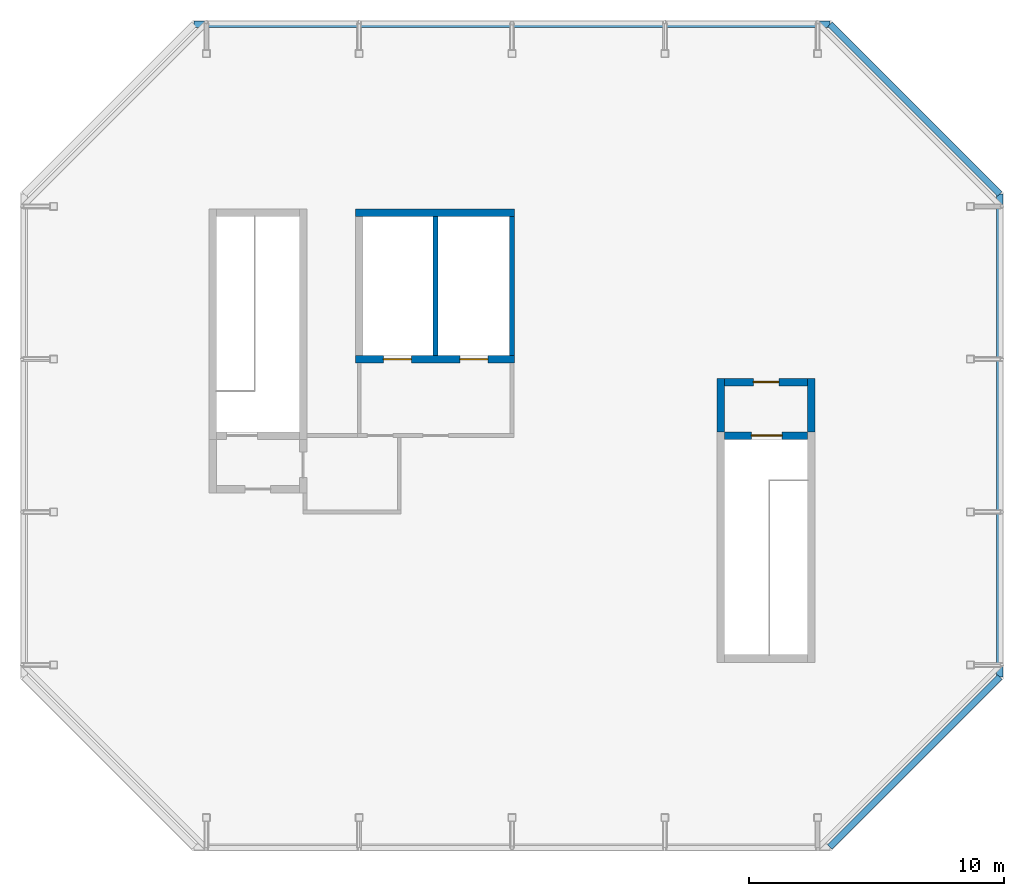
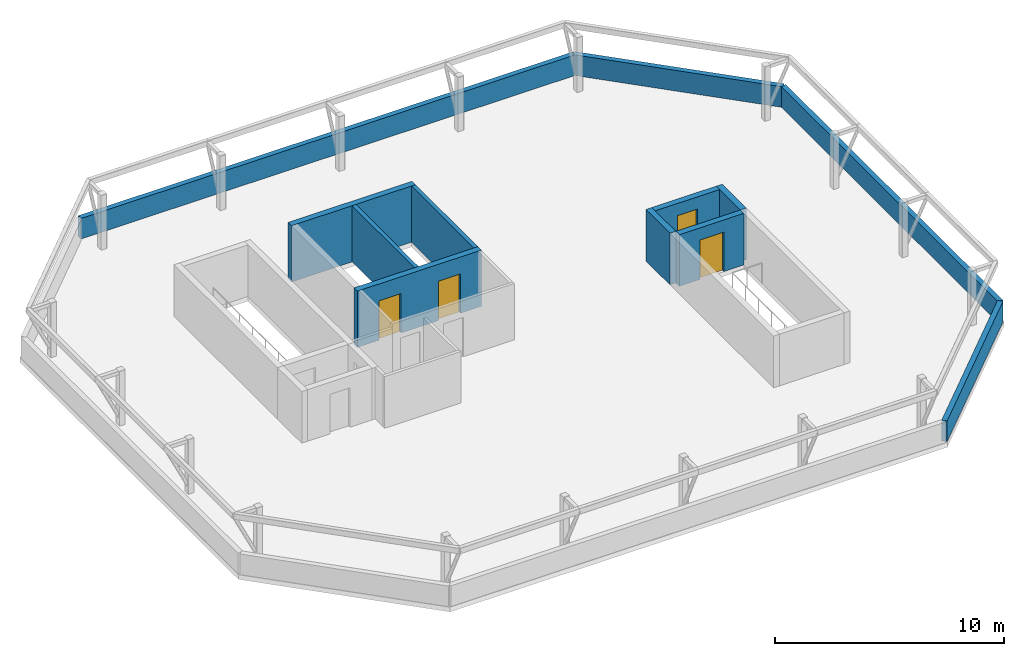
# One storey, part 4 of 6: 12 walls, 4 doors, 4 openings.
"""IFC4 building model written with IfcOpenShell, lengths in metres."""

from ifc_helpers import new_model, si_unit, direction, frame, frame_2d, origin, place, context, subcontext, project, spatial, rectangle, extrude, material, layer, layer_set, type_object, element, fill, save


model = new_model("IFC4")

# Units and contexts
model_context = context("Model", 3, precision=1e-05, world=origin(), true_north=direction((0.0, 1.0)))
body_context = subcontext(model_context, "Body", "Model", "MODEL_VIEW")
ifc_project = project(units=[si_unit("LENGTHUNIT", "METRE"), si_unit("AREAUNIT", "SQUARE_METRE"), si_unit("VOLUMEUNIT", "CUBIC_METRE"), si_unit("PLANEANGLEUNIT", "RADIAN"), si_unit("MASSUNIT", "GRAM", prefix="KILO")], contexts=[model_context])

# Site, building, storey
site_placement = place(None, origin())
site = spatial("IfcSite", under=ifc_project, at=site_placement, CompositionType="ELEMENT")
building_placement = place(site_placement, origin())
building = spatial("IfcBuilding", under=site, at=building_placement, Name="Highveld Stack Headquarters", CompositionType="ELEMENT")
storey_placement = place(building_placement, frame((0.0, 0.0, 305.699951171875)))
storey = spatial("IfcBuildingStorey", under=building, at=storey_placement, Name="RF", CompositionType="ELEMENT", Elevation=305.699951171875)

# Wall, openings, doors
ifc_material_1 = material(Name="Concrete C60/75", Category="concrete")
ifc_layer_1 = layer(ifc_material_1, 0.300048828125)
ifc_layer_set_1 = layer_set([ifc_layer_1], Name="Concrete C60/75")
wall_type_1 = type_object("IfcWallType", Name="CORE WALL 300 C60/75", PredefinedType="SHEAR", material=ifc_layer_set_1)
wall_1_placement = place(storey_placement, frame((-0.14990234375, 6.0, 0.0), z_axis=(0.0, 0.0, 1.0), x_axis=(1.0, 0.0, 0.0)))
wall_1 = element("IfcWall", 1, at=wall_1_placement, inside=storey, type_object=wall_type_1, Name="Lift penthouse wall S", PredefinedType="SHEAR", context=body_context, shape_type="SweptSolid", body=[
    extrude(rectangle(XDim=6.25, YDim=0.300048828125, at=frame_2d((3.125, 0.0))), origin(), (0.0, 0.0, 1.0), 3.0),
])
opening_1_placement = place(wall_1_placement, frame((1.10009765625, 0.0, 0.0)))
opening_1 = element("IfcOpeningElement", 2, at=opening_1_placement, cuts=wall_1, Name="Opening LD", PredefinedType="OPENING", context=body_context, shape_type="SweptSolid", body=[
    extrude(rectangle(XDim=1.10009765625, YDim=2.10009765625, at=frame_2d((0.550048828125, 1.050048828125))), frame((0.0, 0.159912109375, 0.0), z_axis=(0.0, -1.0, 0.0), x_axis=(1.0, 0.0, 0.0)), (0.0, 0.0, 1.0), 0.320068359375),
])
opening_2_placement = place(wall_1_placement, frame((4.10009765625, 0.0, 0.0)))
opening_2 = element("IfcOpeningElement", 3, at=opening_2_placement, cuts=wall_1, Name="Opening LD", PredefinedType="OPENING", context=body_context, shape_type="SweptSolid", body=[
    extrude(rectangle(XDim=1.10009765625, YDim=2.10009765625, at=frame_2d((0.550048828125, 1.050048828125))), frame((0.0, 0.159912109375, 0.0), z_axis=(0.0, -1.0, 0.0), x_axis=(1.0, 0.0, 0.0)), (0.0, 0.0, 1.0), 0.320068359375),
])
ifc_material_2 = material(Name="Stainless steel lift landing door", Category="steel")
door_type_1 = type_object("IfcDoorType", Name="LIFT LANDING DOOR LD 1100x2100", OperationType="DOUBLE_DOOR_SLIDING", PredefinedType="USERDEFINED", material=ifc_material_2)
door_1_placement = place(opening_1_placement, origin())
door_1 = element("IfcDoor", 4, at=door_1_placement, inside=storey, type_object=door_type_1, Name="Lift landing door FF1 RF", ObjectType="LIFT LANDING DOOR", OperationType="DOUBLE_DOOR_SLIDING", OverallHeight=2.10009765625, OverallWidth=1.10009765625, PredefinedType="USERDEFINED", context=body_context, shape_type="SweptSolid", body=[
    extrude(rectangle(XDim=1.10009765625, YDim=2.10009765625, at=frame_2d((0.550048828125, 1.050048828125))), frame((0.0, 0.02490234375, 0.0), z_axis=(0.0, -1.0, 0.0), x_axis=(1.0, 0.0, 0.0)), (0.0, 0.0, 1.0), 0.050048828125),
])
fill(opening_1, door_1)
door_2_placement = place(opening_2_placement, origin())
door_2 = element("IfcDoor", 5, at=door_2_placement, inside=storey, type_object=door_type_1, Name="Lift landing door FF2 RF", ObjectType="LIFT LANDING DOOR", OperationType="DOUBLE_DOOR_SLIDING", OverallHeight=2.10009765625, OverallWidth=1.10009765625, PredefinedType="USERDEFINED", context=body_context, shape_type="SweptSolid", body=[
    extrude(rectangle(XDim=1.10009765625, YDim=2.10009765625, at=frame_2d((0.550048828125, 1.050048828125))), frame((0.0, 0.02490234375, 0.0), z_axis=(0.0, -1.0, 0.0), x_axis=(1.0, 0.0, 0.0)), (0.0, 0.0, 1.0), 0.050048828125),
])
fill(opening_2, door_2)

# Walls
wall_2_placement = place(storey_placement, frame((-0.14990234375, 11.75, 0.0), z_axis=(0.0, 0.0, 1.0), x_axis=(1.0, 0.0, 0.0)))
element("IfcWall", 6, at=wall_2_placement, inside=storey, type_object=wall_type_1, Name="Lift penthouse wall N", PredefinedType="SHEAR", context=body_context, shape_type="SweptSolid", body=[
    extrude(rectangle(XDim=6.25, YDim=0.300048828125, at=frame_2d((3.125, 0.0))), origin(), (0.0, 0.0, 1.0), 3.0),
])
ifc_material_3 = material(Name="Concrete C60/75", Category="concrete")
ifc_layer_2 = layer(ifc_material_3, 0.199951171875)
ifc_layer_set_2 = layer_set([ifc_layer_2], Name="Concrete C60/75")
wall_type_2 = type_object("IfcWallType", Name="LIFT SHAFT WALL 200", PredefinedType="SHEAR", material=ifc_layer_set_2)
for number, where, z_axis, x_axis, name in (
    (7, (6.0, 6.14990234375, 0.0), (0.0, 0.0, 1.0), (0.0, 1.0, 0.0), "Lift penthouse wall E"),
    (8, (3.0, 6.14990234375, 0.0), (0.0, 0.0, 1.0), (0.0, 1.0, 0.0), "Lift penthouse wall D"),
):
    element("IfcWall", number, at=place(storey_placement, frame(where, z_axis=z_axis, x_axis=x_axis)), inside=storey, type_object=wall_type_2, Name=name, PredefinedType="SHEAR", context=body_context, shape_type="SweptSolid", body=[
        extrude(rectangle(XDim=5.4501953125, YDim=0.199951171875, at=frame_2d((2.72509765625, 0.0))), origin(), (0.0, 0.0, 1.0), 3.0),
    ])
ifc_material_4 = material(Name="Concrete C40/50, precast parapet", Category="concrete")
ifc_layer_3 = layer(ifc_material_4, 0.25)
ifc_layer_set_3 = layer_set([ifc_layer_3], Name="Concrete C40/50, precast parapet")
wall_type_3 = type_object("IfcWallType", Name="PARAPET WALL PP1 250", PredefinedType="PARAPET", material=ifc_layer_set_3)
wall_3_placement = place(storey_placement, frame((-6.476318359375, 19.14990234375, 0.0), z_axis=(0.0, 0.0, 1.0), x_axis=(1.0, 0.0, 0.0)))
element("IfcWall", 9, at=wall_3_placement, inside=storey, type_object=wall_type_3, Name="Roof parapet RF 4", PredefinedType="PARAPET", context=body_context, shape_type="SweptSolid", body=[
    extrude(rectangle(XDim=24.95263671875, YDim=0.25, at=frame_2d((12.476318359375, 0.0))), origin(), (0.0, 0.0, 1.0), 1.10009765625),
])
wall_4_placement = place(storey_placement, frame((18.476318359375, 19.14990234375, 0.0), z_axis=(0.0, 0.0, 1.0), x_axis=(0.707106781187, -0.707106781187, 0.0)))
element("IfcWall", 10, at=wall_4_placement, inside=storey, type_object=wall_type_3, Name="Roof parapet RF 5", PredefinedType="PARAPET", context=body_context, shape_type="SweptSolid", body=[
    extrude(rectangle(XDim=9.43798828125, YDim=0.25, at=frame_2d((4.718994140625, 0.0))), origin(), (0.0, 0.0, 1.0), 1.10009765625),
])
wall_5_placement = place(storey_placement, frame((25.14990234375, 12.476318359375, 0.0), z_axis=(0.0, 0.0, 1.0), x_axis=(0.0, -1.0, 0.0)))
element("IfcWall", 11, at=wall_5_placement, inside=storey, type_object=wall_type_3, Name="Roof parapet RF 6", PredefinedType="PARAPET", context=body_context, shape_type="SweptSolid", body=[
    extrude(rectangle(XDim=18.95263671875, YDim=0.25, at=frame_2d((9.476318359375, 0.0))), origin(), (0.0, 0.0, 1.0), 1.10009765625),
])
wall_6_placement = place(storey_placement, frame((25.14990234375, -6.476318359375, 0.0), z_axis=(0.0, 0.0, 1.0), x_axis=(-0.707106781187, -0.707106781187, 0.0)))
element("IfcWall", 12, at=wall_6_placement, inside=storey, type_object=wall_type_3, Name="Roof parapet RF 7", PredefinedType="PARAPET", context=body_context, shape_type="SweptSolid", body=[
    extrude(rectangle(XDim=9.43798828125, YDim=0.25, at=frame_2d((4.718994140625, 0.0))), origin(), (0.0, 0.0, 1.0), 1.10009765625),
])
ifc_material_5 = material(Name="Concrete blockwork, plastered", Category="masonry")
ifc_layer_4 = layer(ifc_material_5, 0.300048828125)
ifc_layer_set_4 = layer_set([ifc_layer_4], Name="Concrete blockwork, plastered")
wall_type_4 = type_object("IfcWallType", Name="STAIR ENCLOSURE HEAD WALL 300 BLOCKWORK", PredefinedType="PARTITIONING", material=ifc_layer_set_4)
for number, where, z_axis, x_axis, name in (
    (13, (14.199951171875, 3.14990234375, 0.0), (0.0, 0.0, 1.0), (0.0, 1.0, 0.0), "Stair S2 head-house wall LW"),
    (14, (17.75, 3.14990234375, 0.0), (0.0, 0.0, 1.0), (0.0, 1.0, 0.0), "Stair S2 head-house wall LE"),
):
    element("IfcWall", number, at=place(storey_placement, frame(where, z_axis=z_axis, x_axis=x_axis)), inside=storey, type_object=wall_type_4, Name=name, PredefinedType="PARTITIONING", context=body_context, shape_type="SweptSolid", body=[
        extrude(rectangle(XDim=2.10009765625, YDim=0.300048828125, at=frame_2d((1.050048828125, 0.0))), origin(), (0.0, 0.0, 1.0), 2.75),
    ])

# Wall, opening, door
wall_7_placement = place(storey_placement, frame((14.35009765625, 5.10009765625, 0.0), z_axis=(0.0, 0.0, 1.0), x_axis=(1.0, 0.0, 0.0)))
wall_7 = element("IfcWall", 15, at=wall_7_placement, inside=storey, type_object=wall_type_4, Name="Stair S2 head-house wall OUT", PredefinedType="PARTITIONING", context=body_context, shape_type="SweptSolid", body=[
    extrude(rectangle(XDim=3.25, YDim=0.300048828125, at=frame_2d((1.625, 0.0))), origin(), (0.0, 0.0, 1.0), 2.75),
])
opening_3_placement = place(wall_7_placement, frame((1.125, 0.0, 0.0)))
opening_3 = element("IfcOpeningElement", 16, at=opening_3_placement, cuts=wall_7, Name="Opening RF-07", PredefinedType="OPENING", context=body_context, shape_type="SweptSolid", body=[
    extrude(rectangle(XDim=1.0, YDim=2.10009765625, at=frame_2d((0.5, 1.050048828125))), frame((0.0, 0.159912109375, 0.0), z_axis=(0.0, -1.0, 0.0), x_axis=(1.0, 0.0, 0.0)), (0.0, 0.0, 1.0), 0.320068359375),
])
ifc_material_6 = material(Name="Galvanised steel door, weather-sealed", Category="steel")
door_type_2 = type_object("IfcDoorType", Name="ROOF ACCESS DOOR D12 1000x2100", OperationType="SINGLE_SWING_RIGHT", PredefinedType="DOOR", material=ifc_material_6)
door_3_placement = place(opening_3_placement, origin())
door_3 = element("IfcDoor", 17, at=door_3_placement, inside=storey, type_object=door_type_2, Name="Roof access door S2 RF", OperationType="SINGLE_SWING_LEFT", OverallHeight=2.10009765625, OverallWidth=1.0, PredefinedType="DOOR", context=body_context, shape_type="SweptSolid", body=[
    extrude(rectangle(XDim=1.0, YDim=2.10009765625, at=frame_2d((0.5, 1.050048828125))), frame((0.0, 0.02490234375, 0.0), z_axis=(0.0, -1.0, 0.0), x_axis=(1.0, 0.0, 0.0)), (0.0, 0.0, 1.0), 0.050048828125),
])
fill(opening_3, door_3)

ifc_material_7 = material(Name="Concrete C40/50", Category="concrete")
ifc_layer_5 = layer(ifc_material_7, 0.300048828125)
ifc_layer_set_5 = layer_set([ifc_layer_5], Name="Concrete C40/50")
wall_type_5 = type_object("IfcWallType", Name="STAIR ENCLOSURE WALL 300", PredefinedType="SOLIDWALL", material=ifc_layer_set_5)
wall_8_placement = place(storey_placement, frame((14.35009765625, 3.0, 0.0), z_axis=(0.0, 0.0, 1.0), x_axis=(1.0, 0.0, 0.0)))
wall_8 = element("IfcWall", 18, at=wall_8_placement, inside=storey, type_object=wall_type_5, Name="Stair S2 head-house wall DOOR", PredefinedType="SOLIDWALL", context=body_context, shape_type="SweptSolid", body=[
    extrude(rectangle(XDim=3.25, YDim=0.300048828125, at=frame_2d((1.625, 0.0))), origin(), (0.0, 0.0, 1.0), 2.75),
])
opening_4_placement = place(wall_8_placement, frame((1.050048828125, 0.0, 0.0)))
opening_4 = element("IfcOpeningElement", 19, at=opening_4_placement, cuts=wall_8, Name="Opening RF-06", PredefinedType="OPENING", context=body_context, shape_type="SweptSolid", body=[
    extrude(rectangle(XDim=1.199951171875, YDim=2.10009765625, at=frame_2d((0.60009765625, 1.050048828125))), frame((0.0, 0.159912109375, 0.0), z_axis=(0.0, -1.0, 0.0), x_axis=(1.0, 0.0, 0.0)), (0.0, 0.0, 1.0), 0.320068359375),
])
ifc_material_8 = material(Name="Steel fire door", Category="steel")
door_type_3 = type_object("IfcDoorType", Name="STAIR FIRE DOOR D3 1200x2100", OperationType="SINGLE_SWING_LEFT", PredefinedType="DOOR", material=ifc_material_8)
door_4_placement = place(opening_4_placement, origin())
door_4 = element("IfcDoor", 20, at=door_4_placement, inside=storey, type_object=door_type_3, Name="Stair S2 door RF", OperationType="SINGLE_SWING_LEFT", OverallHeight=2.10009765625, OverallWidth=1.199951171875, PredefinedType="DOOR", context=body_context, shape_type="SweptSolid", body=[
    extrude(rectangle(XDim=1.199951171875, YDim=2.10009765625, at=frame_2d((0.60009765625, 1.050048828125))), frame((0.0, 0.02490234375, 0.0), z_axis=(0.0, -1.0, 0.0), x_axis=(1.0, 0.0, 0.0)), (0.0, 0.0, 1.0), 0.050048828125),
])
fill(opening_4, door_4)

save(model, "model.ifc")
